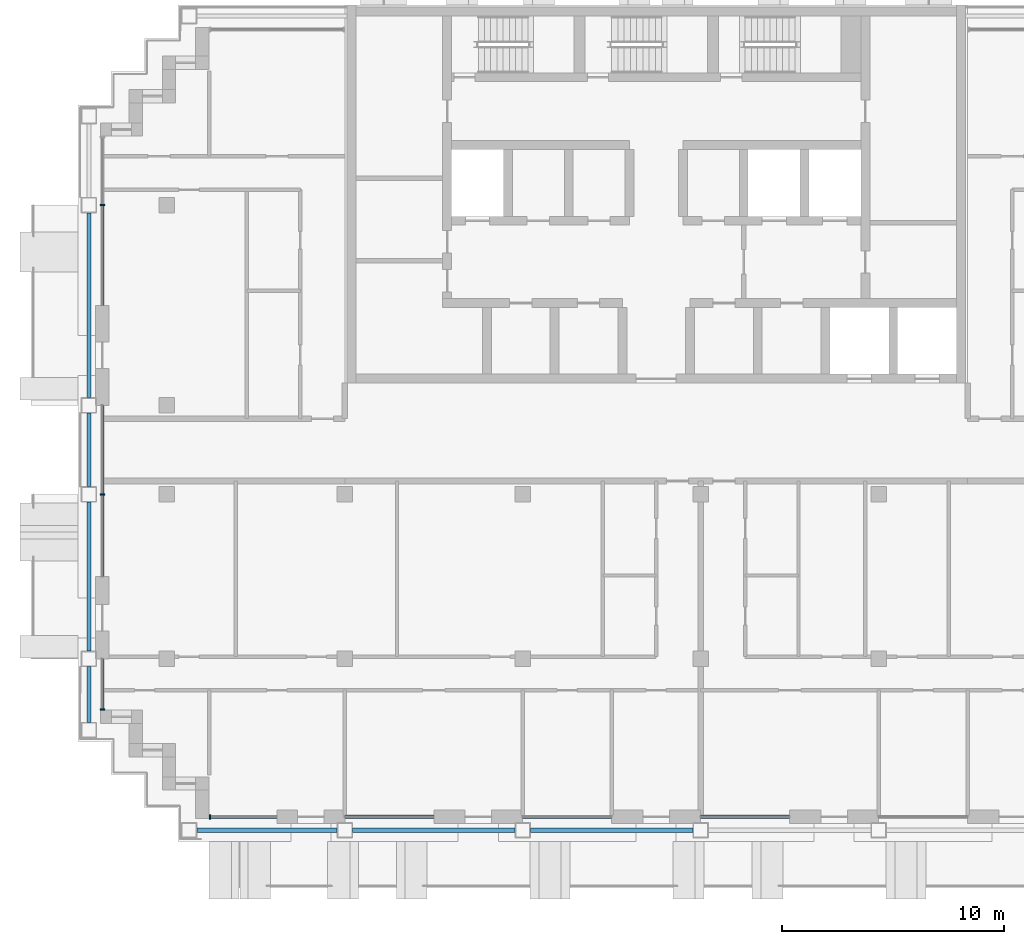
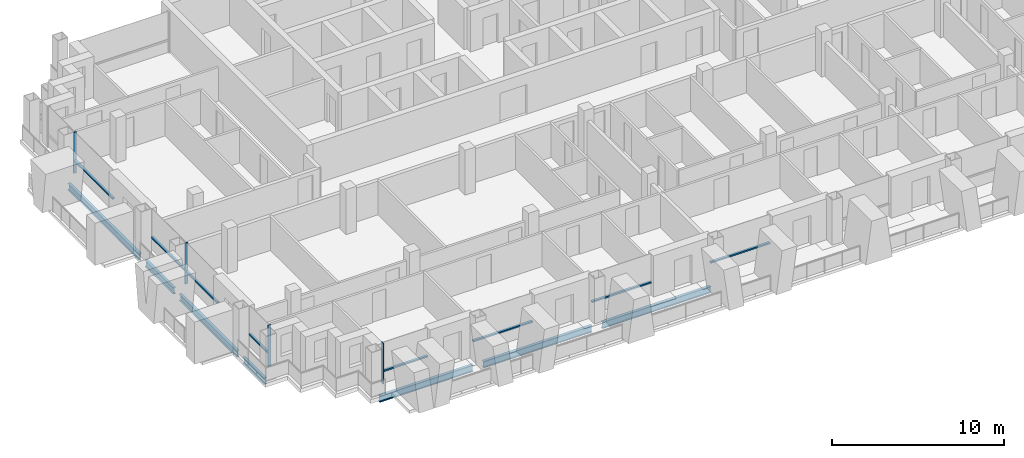
# One storey, part 2 of 16: 12 members, 7 beams, 7 elements without a shape of their own.
"""IFC4 building model written with IfcOpenShell, lengths in metres."""

from ifc_helpers import new_model, si_unit, direction, frame, origin, origin_2d, place, context, subcontext, project, spatial, rectangle, i_section, extrude, material, material_profile, profile_set, type_object, element, aggregate, save


model = new_model("IFC4")

# Units and contexts
model_context = context("Model", 3, precision=1e-05, world=origin(), true_north=direction((0.0, 1.0)))
body_context = subcontext(model_context, "Body", "Model", "MODEL_VIEW")
ifc_project = project(units=[si_unit("LENGTHUNIT", "METRE"), si_unit("AREAUNIT", "SQUARE_METRE"), si_unit("VOLUMEUNIT", "CUBIC_METRE"), si_unit("PLANEANGLEUNIT", "RADIAN"), si_unit("MASSUNIT", "GRAM", prefix="KILO")], contexts=[model_context])

# Site, building, storey
site_placement = place(None, origin())
site = spatial("IfcSite", under=ifc_project, at=site_placement, CompositionType="ELEMENT")
building_placement = place(site_placement, origin())
building = spatial("IfcBuilding", under=site, at=building_placement, Name="Vidyagriha Tower", CompositionType="ELEMENT")
storey_placement = place(building_placement, frame((0.0, 0.0, 178.10009765625)))
storey = spatial("IfcBuildingStorey", under=building, at=storey_placement, Name="L46", CompositionType="ELEMENT", Elevation=178.10009765625)

# Beams
ifc_material_1 = material(Name="Steel ASTM A992 Grade 50", Category="steel")
ifc_material_profile_1 = material_profile(ifc_material_1, i_section(OverallWidth=0.19189453125, OverallDepth=0.46240234375, WebThickness=0.010498046875, FlangeThickness=0.017578125, at=origin_2d()), Name="W18X60")
ifc_profile_set_1 = profile_set([ifc_material_profile_1], Name="Steel ASTM A992 Grade 50")
beam_type = type_object("IfcBeamType", Name="Edge beam W18X60", PredefinedType="SPANDREL", material=ifc_profile_set_1)
beam_1_placement = place(storey_placement, frame((-20.64990234375, -17.10009765625, -0.51123046875), z_axis=(1.0, 0.0, 0.0), x_axis=(0.0, 1.0, 0.0)))
element("IfcBeam", 1, at=beam_1_placement, inside=storey, type_object=beam_type, Name="st-beam-L46-S01", PredefinedType="SPANDREL", context=body_context, shape_type="SweptSolid", body=[
    extrude(i_section(OverallWidth=0.19189453125, OverallDepth=0.46240234375, WebThickness=0.010498046875, FlangeThickness=0.017578125, at=origin_2d()), origin(), (0.0, 0.0, 1.0), 6.2998046875),
])
for number, where, z_axis, x_axis, name in (
    (2, (-13.64990234375, -17.10009765625, -0.51123046875), (1.0, 0.0, 0.0), (0.0, 1.0, 0.0), "st-beam-L46-S02"),
    (3, (-5.64990234375, -17.10009765625, -0.51123046875), (1.0, 0.0, 0.0), (0.0, 1.0, 0.0), "st-beam-L46-S03"),
):
    element("IfcBeam", number, at=place(storey_placement, frame(where, z_axis=z_axis, x_axis=x_axis)), inside=storey, type_object=beam_type, Name=name, PredefinedType="SPANDREL", context=body_context, shape_type="SweptSolid", body=[
        extrude(i_section(OverallWidth=0.19189453125, OverallDepth=0.46240234375, WebThickness=0.010498046875, FlangeThickness=0.017578125, at=origin_2d()), origin(), (0.0, 0.0, 1.0), 7.2998046875),
    ])
beam_2_placement = place(storey_placement, frame((-25.5, -12.25, -0.51123046875), z_axis=(0.0, 1.0, 0.0), x_axis=(-1.0, 0.0, 0.0)))
element("IfcBeam", 4, at=beam_2_placement, inside=storey, type_object=beam_type, Name="st-beam-L46-W08", PredefinedType="SPANDREL", context=body_context, shape_type="SweptSolid", body=[
    extrude(i_section(OverallWidth=0.19189453125, OverallDepth=0.46240234375, WebThickness=0.010498046875, FlangeThickness=0.017578125, at=origin_2d()), origin(), (0.0, 0.0, 1.0), 2.5),
])
beam_3_placement = place(storey_placement, frame((-25.5, -9.050048828125, -0.51123046875), z_axis=(0.0, 1.0, 0.0), x_axis=(-1.0, 0.0, 0.0)))
element("IfcBeam", 5, at=beam_3_placement, inside=storey, type_object=beam_type, Name="st-beam-L46-W09", PredefinedType="SPANDREL", context=body_context, shape_type="SweptSolid", body=[
    extrude(i_section(OverallWidth=0.19189453125, OverallDepth=0.46240234375, WebThickness=0.010498046875, FlangeThickness=0.017578125, at=origin_2d()), origin(), (0.0, 0.0, 1.0), 6.699951171875),
])
beam_4_placement = place(storey_placement, frame((-25.5, -1.64990234375, -0.51123046875), z_axis=(0.0, 1.0, 0.0), x_axis=(-1.0, 0.0, 0.0)))
element("IfcBeam", 6, at=beam_4_placement, inside=storey, type_object=beam_type, Name="st-beam-L46-W10", PredefinedType="SPANDREL", context=body_context, shape_type="SweptSolid", body=[
    extrude(i_section(OverallWidth=0.19189453125, OverallDepth=0.46240234375, WebThickness=0.010498046875, FlangeThickness=0.017578125, at=origin_2d()), origin(), (0.0, 0.0, 1.0), 3.2998046875),
])
beam_5_placement = place(storey_placement, frame((-25.5, 2.35009765625, -0.51123046875), z_axis=(0.0, 1.0, 0.0), x_axis=(-1.0, 0.0, 0.0)))
element("IfcBeam", 7, at=beam_5_placement, inside=storey, type_object=beam_type, Name="st-beam-L46-W11", PredefinedType="SPANDREL", context=body_context, shape_type="SweptSolid", body=[
    extrude(i_section(OverallWidth=0.19189453125, OverallDepth=0.46240234375, WebThickness=0.010498046875, FlangeThickness=0.017578125, at=origin_2d()), origin(), (0.0, 0.0, 1.0), 8.2998046875),
])

# Curtain wall, member
ifc_material_2 = material(Name="Aluminium and glass curtain wall", Category="aluminium")
curtain_wall_type = type_object("IfcCurtainWallType", Name="Dwelling skin unitised curtain wall", PredefinedType="USERDEFINED", material=ifc_material_2)
curtain_wall_1_placement = place(storey_placement, origin())
curtain_wall_1 = element("IfcCurtainWall", 8, at=curtain_wall_1_placement, inside=storey, type_object=curtain_wall_type, Name="CW1 dwelling skin", ObjectType="UNITISED", PredefinedType="USERDEFINED")
ifc_material_3 = material(Name="Aluminium black anodised", Category="aluminium")
ifc_material_profile_2 = material_profile(ifc_material_3, rectangle(XDim=0.199951171875, YDim=0.070068359375, at=origin_2d()), Name="Mullion 70x200 black aluminium")
ifc_profile_set_2 = profile_set([ifc_material_profile_2], Name="Aluminium black anodised")
member_type_1 = type_object("IfcMemberType", Name="Mullion 70x200 black aluminium", PredefinedType="MULLION", material=ifc_profile_set_2)
member_1_placement = place(storey_placement, frame((-24.89990234375, 11.0, 0.0)))
member_1 = element("IfcMember", 9, at=member_1_placement, type_object=member_type_1, Name="CW1 mullion 2", PredefinedType="MULLION", context=body_context, shape_type="SweptSolid", body=[
    extrude(rectangle(XDim=0.199951171875, YDim=0.070068359375, at=origin_2d()), origin(), (0.0, 0.0, 1.0), 2.919921875),
])

curtain_wall_2_placement = place(storey_placement, origin())
curtain_wall_2 = element("IfcCurtainWall", 10, at=curtain_wall_2_placement, inside=storey, type_object=curtain_wall_type, Name="CW1 dwelling skin", ObjectType="UNITISED", PredefinedType="USERDEFINED")
member_2_placement = place(storey_placement, frame((-24.89990234375, -2.0, 0.0)))
member_2 = element("IfcMember", 11, at=member_2_placement, type_object=member_type_1, Name="CW1 mullion 2", PredefinedType="MULLION", context=body_context, shape_type="SweptSolid", body=[
    extrude(rectangle(XDim=0.199951171875, YDim=0.070068359375, at=origin_2d()), origin(), (0.0, 0.0, 1.0), 2.919921875),
])

curtain_wall_3_placement = place(storey_placement, origin())
curtain_wall_3 = element("IfcCurtainWall", 12, at=curtain_wall_3_placement, inside=storey, type_object=curtain_wall_type, Name="CW1 dwelling skin", ObjectType="UNITISED", PredefinedType="USERDEFINED")
member_3_placement = place(storey_placement, frame((-24.89990234375, -11.6650390625, 0.0)))
member_3 = element("IfcMember", 13, at=member_3_placement, type_object=member_type_1, Name="CW1 mullion 2", PredefinedType="MULLION", context=body_context, shape_type="SweptSolid", body=[
    extrude(rectangle(XDim=0.199951171875, YDim=0.070068359375, at=origin_2d()), origin(), (0.0, 0.0, 1.0), 2.919921875),
])

curtain_wall_4_placement = place(storey_placement, origin())
curtain_wall_4 = element("IfcCurtainWall", 14, at=curtain_wall_4_placement, inside=storey, type_object=curtain_wall_type, Name="CW1 dwelling skin", ObjectType="UNITISED", PredefinedType="USERDEFINED")
member_4_placement = place(storey_placement, frame((-20.06494140625, -16.5, 0.0), z_axis=(0.0, 0.0, 1.0), x_axis=(0.0, 1.0, 0.0)))
member_4 = element("IfcMember", 15, at=member_4_placement, type_object=member_type_1, Name="CW1 mullion 1", PredefinedType="MULLION", context=body_context, shape_type="SweptSolid", body=[
    extrude(rectangle(XDim=0.199951171875, YDim=0.070068359375, at=origin_2d()), origin(), (0.0, 0.0, 1.0), 2.919921875),
])

# Member
ifc_material_4 = material(Name="Aluminium black anodised", Category="aluminium")
ifc_material_profile_3 = material_profile(ifc_material_4, rectangle(XDim=0.159912109375, YDim=0.10009765625, at=origin_2d()), Name="Transom 100x160 black aluminium")
ifc_profile_set_3 = profile_set([ifc_material_profile_3], Name="Aluminium black anodised")
member_type_2 = type_object("IfcMemberType", Name="Transom 100x160 black aluminium", PredefinedType="USERDEFINED", material=ifc_profile_set_3)
member_5_placement = place(storey_placement, frame((-24.89990234375, 10.965087890625, 0.89990234375), z_axis=(0.0, -1.0, 0.0), x_axis=(1.0, 0.0, 0.0)))
member_5 = element("IfcMember", 16, at=member_5_placement, type_object=member_type_2, Name="CW1 transom 2.1", ObjectType="TRANSOM", PredefinedType="USERDEFINED", context=body_context, shape_type="SweptSolid", body=[
    extrude(rectangle(XDim=0.159912109375, YDim=0.10009765625, at=origin_2d()), origin(), (0.0, 0.0, 1.0), 4.465087890625),
])

aggregate(curtain_wall_1, [member_1, member_5])

member_6_placement = place(storey_placement, frame((-24.89990234375, 2.0, 0.89990234375), z_axis=(0.0, -1.0, 0.0), x_axis=(1.0, 0.0, 0.0)))
member_6 = element("IfcMember", 17, at=member_6_placement, type_object=member_type_2, Name="CW1 transom 1.1", ObjectType="TRANSOM", PredefinedType="USERDEFINED", context=body_context, shape_type="SweptSolid", body=[
    extrude(rectangle(XDim=0.159912109375, YDim=0.10009765625, at=origin_2d()), origin(), (0.0, 0.0, 1.0), 3.965087890625),
])

member_7_placement = place(storey_placement, frame((-24.89990234375, -2.034912109375, 0.89990234375), z_axis=(0.0, -1.0, 0.0), x_axis=(1.0, 0.0, 0.0)))
member_7 = element("IfcMember", 18, at=member_7_placement, type_object=member_type_2, Name="CW1 transom 2.1", ObjectType="TRANSOM", PredefinedType="USERDEFINED", context=body_context, shape_type="SweptSolid", body=[
    extrude(rectangle(XDim=0.159912109375, YDim=0.10009765625, at=origin_2d()), origin(), (0.0, 0.0, 1.0), 3.6650390625),
])

aggregate(curtain_wall_2, [member_2, member_6, member_7])

member_8_placement = place(storey_placement, frame((-24.89990234375, -9.39990234375, 0.89990234375), z_axis=(0.0, -1.0, 0.0), x_axis=(1.0, 0.0, 0.0)))
member_8 = element("IfcMember", 19, at=member_8_placement, type_object=member_type_2, Name="CW1 transom 1.1", ObjectType="TRANSOM", PredefinedType="USERDEFINED", context=body_context, shape_type="SweptSolid", body=[
    extrude(rectangle(XDim=0.159912109375, YDim=0.10009765625, at=origin_2d()), origin(), (0.0, 0.0, 1.0), 2.22998046875),
])

aggregate(curtain_wall_3, [member_3, member_8])

member_9_placement = place(storey_placement, frame((-20.030029296875, -16.5, 0.89990234375), z_axis=(1.0, 0.0, 0.0), x_axis=(0.0, 1.0, 0.0)))
member_9 = element("IfcMember", 20, at=member_9_placement, type_object=member_type_2, Name="CW1 transom 1.1", ObjectType="TRANSOM", PredefinedType="USERDEFINED", context=body_context, shape_type="SweptSolid", body=[
    extrude(rectangle(XDim=0.159912109375, YDim=0.10009765625, at=origin_2d()), origin(), (0.0, 0.0, 1.0), 2.97998046875),
])

aggregate(curtain_wall_4, [member_4, member_9])

# Curtain wall, member
curtain_wall_5_placement = place(storey_placement, origin())
curtain_wall_5 = element("IfcCurtainWall", 21, at=curtain_wall_5_placement, inside=storey, type_object=curtain_wall_type, Name="CW1 dwelling skin", ObjectType="UNITISED", PredefinedType="USERDEFINED")
member_10_placement = place(storey_placement, frame((-14.0, -16.5, 0.89990234375), z_axis=(1.0, 0.0, 0.0), x_axis=(0.0, 1.0, 0.0)))
member_10 = element("IfcMember", 22, at=member_10_placement, type_object=member_type_2, Name="CW1 transom 1.1", ObjectType="TRANSOM", PredefinedType="USERDEFINED", context=body_context, shape_type="SweptSolid", body=[
    extrude(rectangle(XDim=0.159912109375, YDim=0.10009765625, at=origin_2d()), origin(), (0.0, 0.0, 1.0), 4.0),
])
aggregate(curtain_wall_5, [member_10])

curtain_wall_6_placement = place(storey_placement, origin())
curtain_wall_6 = element("IfcCurtainWall", 23, at=curtain_wall_6_placement, inside=storey, type_object=curtain_wall_type, Name="CW1 dwelling skin", ObjectType="UNITISED", PredefinedType="USERDEFINED")
member_11_placement = place(storey_placement, frame((-6.0, -16.5, 0.89990234375), z_axis=(1.0, 0.0, 0.0), x_axis=(0.0, 1.0, 0.0)))
member_11 = element("IfcMember", 24, at=member_11_placement, type_object=member_type_2, Name="CW1 transom 1.1", ObjectType="TRANSOM", PredefinedType="USERDEFINED", context=body_context, shape_type="SweptSolid", body=[
    extrude(rectangle(XDim=0.159912109375, YDim=0.10009765625, at=origin_2d()), origin(), (0.0, 0.0, 1.0), 4.0),
])
aggregate(curtain_wall_6, [member_11])

curtain_wall_7_placement = place(storey_placement, origin())
curtain_wall_7 = element("IfcCurtainWall", 25, at=curtain_wall_7_placement, inside=storey, type_object=curtain_wall_type, Name="CW1 dwelling skin", ObjectType="UNITISED", PredefinedType="USERDEFINED")
member_12_placement = place(storey_placement, frame((2.0, -16.5, 0.89990234375), z_axis=(1.0, 0.0, 0.0), x_axis=(0.0, 1.0, 0.0)))
member_12 = element("IfcMember", 26, at=member_12_placement, type_object=member_type_2, Name="CW1 transom 1.1", ObjectType="TRANSOM", PredefinedType="USERDEFINED", context=body_context, shape_type="SweptSolid", body=[
    extrude(rectangle(XDim=0.159912109375, YDim=0.10009765625, at=origin_2d()), origin(), (0.0, 0.0, 1.0), 4.0),
])
aggregate(curtain_wall_7, [member_12])

save(model, "model.ifc")
